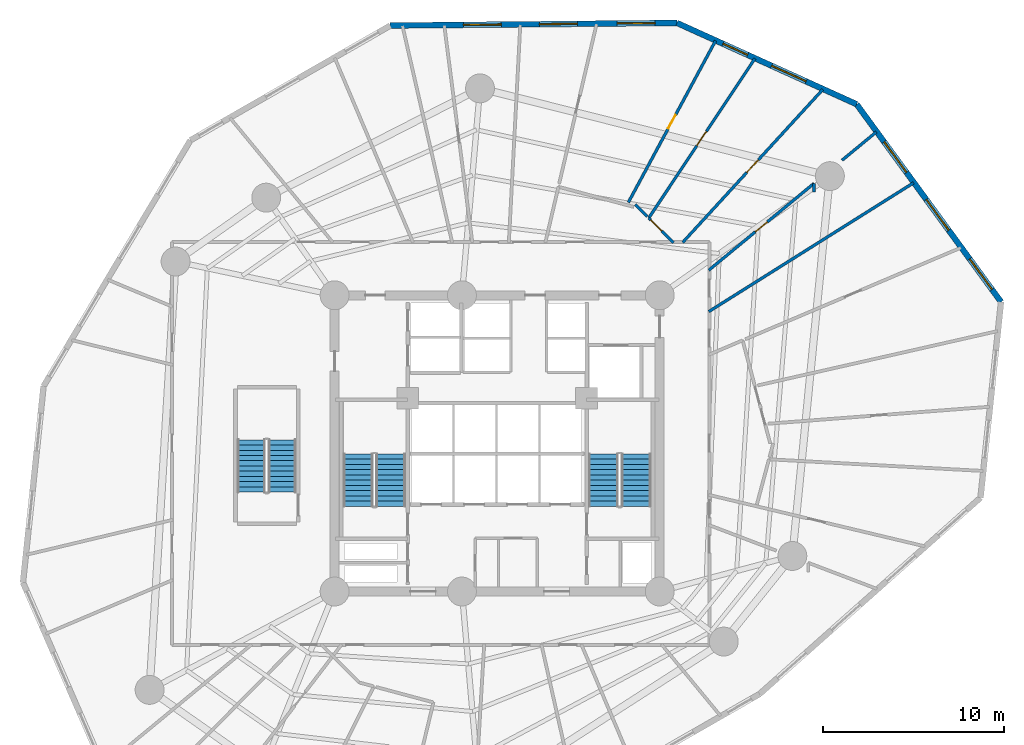
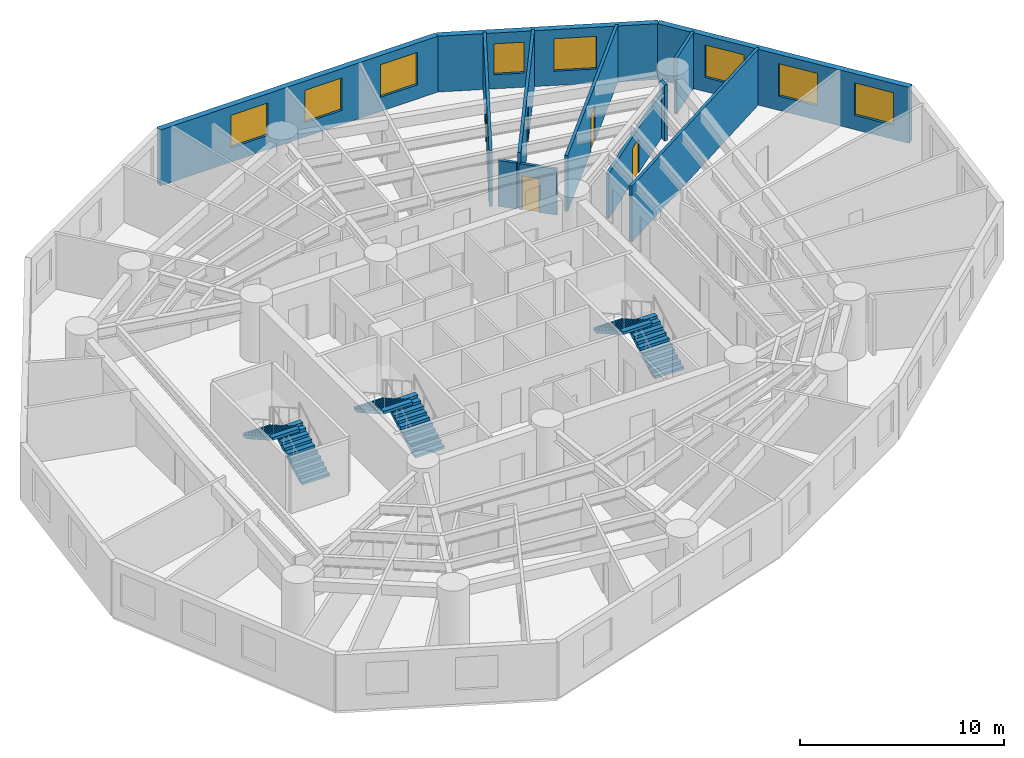
# One storey, part 7 of 8: 12 walls, 8 windows, 6 stair flights, 5 doors, 13 openings, 3 elements without a shape of their own.
"""IFC4 building model written with IfcOpenShell, lengths in metres."""

import ifcopenshell
import ifcopenshell.guid

model = None  # the IFC model being written
_history = None  # IfcOwnerHistory: only IFC2X3 demands one
_inside = {}  # id of a spatial element -> (the spatial element, [elements in it])
_under = {}  # id of a project, library or spatial element -> (it, [spatial elements below it])
_declared = {}  # id of a project -> (the project, [libraries it declares])
_typed = {}  # id of a type object -> (the type object, [elements of that type])
_made_of = {}  # id of a material, layer set ... -> (it, [elements and type objects made of it])


def new_model(schema):
    """Start an empty IFC model of exactly this schema.

    Asked for "IFC4X3", IfcOpenShell would pick the latest addendum, in which some entities
    have other attributes; the version numbers below select the first issue.
    IFC2X3 requires an IfcOwnerHistory on every rooted entity: one is made here for all.
    """
    global model, _history
    if schema == "IFC4X3":
        model = ifcopenshell.file(schema_version=(4, 3, 0, 0))
    else:
        model = ifcopenshell.file(schema=schema)
    _inside.clear()
    _under.clear()
    _declared.clear()
    _typed.clear()
    _made_of.clear()
    _history = None
    if model.schema == "IFC2X3":
        org = make("IfcOrganization", Name="unknown")
        user = make(
            "IfcPersonAndOrganization",
            ThePerson=make("IfcPerson", FamilyName="unknown"),
            TheOrganization=org,
        )
        app = make(
            "IfcApplication",
            ApplicationDeveloper=org,
            Version="unknown",
            ApplicationFullName="unknown",
            ApplicationIdentifier="unknown",
        )
        _history = make(
            "IfcOwnerHistory",
            OwningUser=user,
            OwningApplication=app,
            ChangeAction="ADDED",
            CreationDate=0,
        )
    return model


def make(cls, **values):
    """One entity of the class cls with the attributes given. An attribute that is None is left unset."""
    return model.create_entity(
        cls, **{name: value for name, value in values.items() if value is not None}
    )


def rooted(cls, **values):
    """An entity with a GlobalId (a new one), such as an element, a storey or a relation."""
    return make(cls, GlobalId=ifcopenshell.guid.new(), OwnerHistory=_history, **values)


def si_unit(unit_type, name, prefix=None):
    """IfcSIUnit, for example si_unit("LENGTHUNIT", "METRE", prefix="MILLI")."""
    return make("IfcSIUnit", UnitType=unit_type, Prefix=prefix, Name=name)


def assignment(units):
    """IfcUnitAssignment: the units of a project."""
    return None if units is None else make("IfcUnitAssignment", Units=units)


def point(xyz):
    """IfcCartesianPoint."""
    return None if xyz is None else make("IfcCartesianPoint", Coordinates=xyz)


def direction(xyz):
    """IfcDirection."""
    return None if xyz is None else make("IfcDirection", DirectionRatios=xyz)


def frame(location, z_axis=None, x_axis=None):
    """IfcAxis2Placement3D, a coordinate frame: its origin and axes. An axis left out is left unset."""
    return make(
        "IfcAxis2Placement3D",
        Location=point(location),
        Axis=direction(z_axis),
        RefDirection=direction(x_axis),
    )


def frame_2d(location, x_axis=None):
    """IfcAxis2Placement2D, a coordinate frame in the plane: its origin and x axis."""
    return make(
        "IfcAxis2Placement2D", Location=point(location), RefDirection=direction(x_axis)
    )


def origin():
    """The frame at (0, 0, 0) with its axes left unset."""
    return frame((0.0, 0.0, 0.0))


def origin_with_axes():
    """The frame at (0, 0, 0) with the z axis (0, 0, 1) and the x axis (1, 0, 0) written out."""
    return frame((0.0, 0.0, 0.0), z_axis=(0.0, 0.0, 1.0), x_axis=(1.0, 0.0, 0.0))


def place(relative_to, where):
    """IfcLocalPlacement: puts the frame where relative to a parent placement (None: the world)."""
    return make(
        "IfcLocalPlacement", PlacementRelTo=relative_to, RelativePlacement=where
    )


def context(
    kind, dimensions, precision=None, world=None, true_north=None, identifier=None
):
    """IfcGeometricRepresentationContext, for example the 3D "Model" context."""
    return make(
        "IfcGeometricRepresentationContext",
        ContextIdentifier=identifier,
        ContextType=kind,
        CoordinateSpaceDimension=dimensions,
        Precision=precision,
        WorldCoordinateSystem=world,
        TrueNorth=true_north,
    )


def subcontext(parent, identifier, kind, view, scale=None):
    """IfcGeometricRepresentationSubContext, for example "Body" below "Model"."""
    return make(
        "IfcGeometricRepresentationSubContext",
        ContextIdentifier=identifier,
        ContextType=kind,
        ParentContext=parent,
        TargetScale=scale,
        TargetView=view,
    )


def project(units=None, contexts=None):
    """IfcProject with its units and contexts."""
    return rooted(
        "IfcProject",
        Name="project",
        RepresentationContexts=contexts,
        UnitsInContext=assignment(units),
    )


def spatial(cls, under=None, at=None, **own):
    """A site, building, storey or space (cls), placed at a placement, below another one or the project."""
    s = rooted(cls, ObjectPlacement=at, **own)
    if under is not None:
        _under.setdefault(under.id(), (under, []))[1].append(s)
    return s


def polyline(points):
    """IfcPolyline through the points."""
    return make("IfcPolyline", Points=[point(p) for p in points])


def profile(cls, at=None, kind="AREA", **sizes):
    """A parametric profile (cls). Its sizes go by their IFC names, for example OverallWidth=200.0."""
    return make(cls, ProfileType=kind, Position=at, **sizes)


def rectangle(**sizes):
    """IfcRectangleProfileDef."""
    return profile("IfcRectangleProfileDef", **sizes)


def outline(outer, holes=None, kind="AREA"):
    """IfcArbitraryClosedProfileDef: a profile drawn as a closed curve; with holes, ...WithVoids."""
    if holes is None:
        return make("IfcArbitraryClosedProfileDef", ProfileType=kind, OuterCurve=outer)
    return make(
        "IfcArbitraryProfileDefWithVoids",
        ProfileType=kind,
        OuterCurve=outer,
        InnerCurves=holes,
    )


def extrude(swept, where, along, depth):
    """IfcExtrudedAreaSolid: the profile swept, set in the frame where, extruded along a direction by depth."""
    return make(
        "IfcExtrudedAreaSolid",
        SweptArea=swept,
        Position=where,
        ExtrudedDirection=direction(along),
        Depth=depth,
    )


def shape(context_of_items, identifier, shape_type, items):
    """IfcShapeRepresentation: the items that make up one representation, for example the "Body"."""
    return make(
        "IfcShapeRepresentation",
        ContextOfItems=context_of_items,
        RepresentationIdentifier=identifier,
        RepresentationType=shape_type,
        Items=items,
    )


def source(mapping_origin, context_of_items, identifier, shape_type, items):
    """IfcRepresentationMap: a shape defined once, which mapped items show again and again."""
    return make(
        "IfcRepresentationMap",
        MappingOrigin=mapping_origin,
        MappedRepresentation=shape(context_of_items, identifier, shape_type, items),
    )


def transform(
    local_origin,
    x_axis=None,
    y_axis=None,
    z_axis=None,
    scale=None,
    scale2=None,
    scale3=None,
    uniform=True,
):
    """IfcCartesianTransformationOperator3D, or its non-uniform kind. x_axis, y_axis, z_axis: its Axis1, 2, 3."""
    if uniform:
        return make(
            "IfcCartesianTransformationOperator3D",
            Axis1=direction(x_axis),
            Axis2=direction(y_axis),
            LocalOrigin=point(local_origin),
            Scale=scale,
            Axis3=direction(z_axis),
        )
    return make(
        "IfcCartesianTransformationOperator3DnonUniform",
        Axis1=direction(x_axis),
        Axis2=direction(y_axis),
        LocalOrigin=point(local_origin),
        Scale=scale,
        Axis3=direction(z_axis),
        Scale2=scale2,
        Scale3=scale3,
    )


def mapped(mapping_source, mapping_target):
    """IfcMappedItem: shows the shape of a source again, moved by a transform."""
    return make(
        "IfcMappedItem", MappingSource=mapping_source, MappingTarget=mapping_target
    )


def material(Name=None, Category=None):
    """IfcMaterial."""
    return make("IfcMaterial", Name=Name, Category=Category)


def layer(
    of_material, thickness, ventilated=None, Name=None, Category=None, Priority=None
):
    """IfcMaterialLayer: one layer of a wall or slab, of a material (None: an air gap)."""
    return make(
        "IfcMaterialLayer",
        Material=of_material,
        LayerThickness=thickness,
        IsVentilated=ventilated,
        Name=Name,
        Category=Category,
        Priority=Priority,
    )


def layer_set(layers, Name=None):
    """IfcMaterialLayerSet."""
    return make("IfcMaterialLayerSet", MaterialLayers=layers, LayerSetName=Name)


def made_of(thing, what):
    """Note that an element or type object is made of a material, layer set ...; save() writes the relation."""
    if what is not None:
        _made_of.setdefault(what.id(), (what, []))[1].append(thing)
    return thing


def type_object(cls, material=None, **own):
    """A type object (cls), such as IfcWallType, which elements share."""
    return made_of(rooted(cls, **own), material)


def element(
    cls,
    number,
    at=None,
    inside=None,
    cuts=None,
    type_object=None,
    material=None,
    context=None,
    identifier="Body",
    shape_type=None,
    held_by="IfcProductDefinitionShape",
    body=None,
    shapes=None,
    **own,
):
    """One element of the class cls, such as IfcWall. Its Tag is "e" and its number.

    at: its placement. inside: the storey or other place that contains it. cuts: it is an
    opening in that element (IfcRelVoidsElement). A single representation is given by context,
    identifier, shape_type and body (its items); several are given by shapes. held_by: the class
    of the entity that holds the representations. save() writes the other relations.
    """
    e = rooted(cls, Tag="e%d" % number, ObjectPlacement=at, **own)
    if body is not None:
        shapes = [shape(context, identifier, shape_type, body)]
    if shapes is not None:
        e.Representation = make(held_by, Representations=shapes)
    if inside is not None:
        _inside.setdefault(inside.id(), (inside, []))[1].append(e)
    if cuts is not None:
        rooted(
            "IfcRelVoidsElement", RelatingBuildingElement=cuts, RelatedOpeningElement=e
        )
    if type_object is not None:
        _typed.setdefault(type_object.id(), (type_object, []))[1].append(e)
    return made_of(e, material)


def fill(opening, filler):
    """IfcRelFillsElement: the door or window that sits in an opening."""
    return rooted(
        "IfcRelFillsElement",
        RelatingOpeningElement=opening,
        RelatedBuildingElement=filler,
    )


def aggregate(whole, parts):
    """IfcRelAggregates: a whole, such as a stair, and the parts it consists of."""
    return rooted("IfcRelAggregates", RelatingObject=whole, RelatedObjects=parts)


def save(model, path):
    """Write the relations noted so far, then the file.

    IfcRelAggregates (storeys below a building ...), IfcRelContainedInSpatialStructure (elements
    in a storey), IfcRelDefinesByType, IfcRelAssociatesMaterial and IfcRelDeclares: one each for
    every whole, place, type object, material and project.
    """
    for whole, parts in _under.values():
        aggregate(whole, parts)
    for where, things in _inside.values():
        rooted(
            "IfcRelContainedInSpatialStructure",
            RelatedElements=things,
            RelatingStructure=where,
        )
    for kind, things in _typed.values():
        rooted("IfcRelDefinesByType", RelatedObjects=things, RelatingType=kind)
    for what, things in _made_of.values():
        rooted("IfcRelAssociatesMaterial", RelatedObjects=things, RelatingMaterial=what)
    for by, libraries in _declared.values():
        rooted("IfcRelDeclares", RelatingContext=by, RelatedDefinitions=libraries)
    model.write(path)


model = new_model("IFC4")

# Units and contexts
model_context = context("Model", 3, precision=1e-05, world=origin(), true_north=direction((0.0, 1.0)))
body_context = subcontext(model_context, "Body", "Model", "MODEL_VIEW")
ifc_project = project(units=[si_unit("LENGTHUNIT", "METRE"), si_unit("AREAUNIT", "SQUARE_METRE"), si_unit("VOLUMEUNIT", "CUBIC_METRE"), si_unit("PLANEANGLEUNIT", "RADIAN"), si_unit("MASSUNIT", "GRAM", prefix="KILO")], contexts=[model_context])

# Site, building, storey
site_placement = place(None, origin())
site = spatial("IfcSite", under=ifc_project, at=site_placement, CompositionType="ELEMENT")
building_placement = place(site_placement, origin())
building = spatial("IfcBuilding", under=site, at=building_placement, Name="Karkom Vertical University and Central Library", CompositionType="ELEMENT")
storey_placement = place(building_placement, frame((0.0, 0.0, 30.10009765625)))
storey = spatial("IfcBuildingStorey", under=building, at=storey_placement, Name="L07", CompositionType="ELEMENT", Elevation=30.10009765625)

# Wall, openings, windows
ifc_material_1 = material(Name="Brick-faced precast concrete C45/55", Category="masonry")
ifc_layer_1 = layer(ifc_material_1, 0.320068359375)
ifc_layer_set_1 = layer_set([ifc_layer_1], Name="Brick-faced precast concrete C45/55")
wall_type_1 = type_object("IfcWallType", Name="ENV-WL-BRK-320", PredefinedType="SOLIDWALL", material=ifc_layer_set_1)
wall_1_placement = place(storey_placement, frame((56.39990234375, 34.3330078125, 0.0), z_axis=(0.0, 0.0, 1.0), x_axis=(-0.589989497515, 0.807410919434, 0.0)))
wall_1 = element("IfcWall", 1, at=wall_1_placement, inside=storey, type_object=wall_type_1, Name="Level 07 Brick-Faced Precast Facade Wall 10", PredefinedType="SOLIDWALL", context=body_context, shape_type="SweptSolid", body=[
    extrude(rectangle(XDim=13.556640625, YDim=0.320068359375, at=frame_2d((6.7783203125, 0.0))), origin(), (0.0, 0.0, 1.0), 3.349853515625),
])
opening_1_placement = place(wall_1_placement, frame((0.852294921875, 0.0, 0.85009765625)))
opening_1 = element("IfcOpeningElement", 2, at=opening_1_placement, cuts=wall_1, Name="Opening WN-03", PredefinedType="OPENING", context=body_context, shape_type="SweptSolid", body=[
    extrude(rectangle(XDim=2.10009765625, YDim=1.949951171875, at=frame_2d((1.050048828125, 0.97509765625))), frame((0.0, 0.169921875, 0.0), z_axis=(0.0, -1.0, 0.0), x_axis=(1.0, 0.0, 0.0)), (0.0, 0.0, 1.0), 0.340087890625),
])
opening_2_placement = place(wall_1_placement, frame((4.9150390625, 0.0, 0.85009765625)))
opening_2 = element("IfcOpeningElement", 3, at=opening_2_placement, cuts=wall_1, Name="Opening WN-03", PredefinedType="OPENING", context=body_context, shape_type="SweptSolid", body=[
    extrude(rectangle(XDim=2.10009765625, YDim=1.949951171875, at=frame_2d((1.050048828125, 0.97509765625))), frame((0.0, 0.169921875, 0.0), z_axis=(0.0, -1.0, 0.0), x_axis=(1.0, 0.0, 0.0)), (0.0, 0.0, 1.0), 0.340087890625),
])
opening_3_placement = place(wall_1_placement, frame((8.8779296875, 0.0, 0.85009765625)))
opening_3 = element("IfcOpeningElement", 4, at=opening_3_placement, cuts=wall_1, Name="Opening WN-03", PredefinedType="OPENING", context=body_context, shape_type="SweptSolid", body=[
    extrude(rectangle(XDim=2.10009765625, YDim=1.949951171875, at=frame_2d((1.050048828125, 0.97509765625))), frame((0.0, 0.169921875, 0.0), z_axis=(0.0, -1.0, 0.0), x_axis=(1.0, 0.0, 0.0)), (0.0, 0.0, 1.0), 0.340087890625),
])
ifc_material_2 = material(Name="Aluminium thermal-break frame with solar-control IGU", Category="aluminium")
window_type_1 = type_object("IfcWindowType", Name="ENV-WIN-WN-03", PartitioningType="SINGLE_PANEL", PredefinedType="WINDOW", material=ifc_material_2)
shared_shape_1 = source(origin_with_axes(), body_context, "Body", "SweptSolid", [
    extrude(rectangle(XDim=2.10009765625, YDim=1.949951171875, at=frame_2d((1.050048828125, 0.97509765625))), frame((0.0, 0.030029296875, 0.0), z_axis=(0.0, -1.0, 0.0), x_axis=(1.0, 0.0, 0.0)), (0.0, 0.0, 1.0), 0.06005859375),
])
window_1_placement = place(opening_1_placement, origin())
window_1 = element("IfcWindow", 5, at=window_1_placement, inside=storey, type_object=window_type_1, Name="Level 07 Punched Window 10.1", OverallHeight=1.949951171875, OverallWidth=2.10009765625, PartitioningType="SINGLE_PANEL", PredefinedType="WINDOW", context=body_context, shape_type="MappedRepresentation", body=[
    mapped(shared_shape_1, transform((0.0, 0.0, 0.0), scale=1.0)),
])
fill(opening_1, window_1)
window_2_placement = place(opening_2_placement, origin())
window_2 = element("IfcWindow", 6, at=window_2_placement, inside=storey, type_object=window_type_1, Name="Level 07 Punched Window 10.2", OverallHeight=1.949951171875, OverallWidth=2.10009765625, PartitioningType="SINGLE_PANEL", PredefinedType="WINDOW", context=body_context, shape_type="MappedRepresentation", body=[
    mapped(shared_shape_1, transform((0.0, 0.0, 0.0), scale=1.0)),
])
fill(opening_2, window_2)
window_3_placement = place(opening_3_placement, origin())
window_3 = element("IfcWindow", 7, at=window_3_placement, inside=storey, type_object=window_type_1, Name="Level 07 Punched Window 10.3", OverallHeight=1.949951171875, OverallWidth=2.10009765625, PartitioningType="SINGLE_PANEL", PredefinedType="WINDOW", context=body_context, shape_type="MappedRepresentation", body=[
    mapped(shared_shape_1, transform((0.0, 0.0, 0.0), scale=1.0)),
])
fill(opening_3, window_3)

wall_2_placement = place(storey_placement, frame((48.401611328125, 45.27880859375, 0.0), z_axis=(0.0, 0.0, 1.0), x_axis=(-0.91109013156, 0.412207195684, 0.0)))
wall_2 = element("IfcWall", 8, at=wall_2_placement, inside=storey, type_object=wall_type_1, Name="Level 07 Brick-Faced Precast Facade Wall 11", PredefinedType="SOLIDWALL", context=body_context, shape_type="SweptSolid", body=[
    extrude(rectangle(XDim=10.92041015625, YDim=0.320068359375, at=frame_2d((5.460205078125, 0.0))), origin(), (0.0, 0.0, 1.0), 3.349853515625),
])
opening_4_placement = place(wall_2_placement, frame((3.06591796875, 0.0, 0.85009765625)))
opening_4 = element("IfcOpeningElement", 9, at=opening_4_placement, cuts=wall_2, Name="Opening WN-03", PredefinedType="OPENING", context=body_context, shape_type="SweptSolid", body=[
    extrude(rectangle(XDim=2.10009765625, YDim=1.949951171875, at=frame_2d((1.050048828125, 0.97509765625))), frame((0.0, 0.169921875, 0.0), z_axis=(0.0, -1.0, 0.0), x_axis=(1.0, 0.0, 0.0)), (0.0, 0.0, 1.0), 0.340087890625),
])
opening_5_placement = place(wall_2_placement, frame((6.623291015625, 0.0, 0.85009765625)))
opening_5 = element("IfcOpeningElement", 10, at=opening_5_placement, cuts=wall_2, Name="Opening WN-05", PredefinedType="OPENING", context=body_context, shape_type="SweptSolid", body=[
    extrude(rectangle(XDim=1.5, YDim=1.85009765625, at=frame_2d((0.75, 0.925048828125))), frame((0.0, 0.169921875, 0.0), z_axis=(0.0, -1.0, 0.0), x_axis=(1.0, 0.0, 0.0)), (0.0, 0.0, 1.0), 0.340087890625),
])
window_4_placement = place(opening_4_placement, origin())
window_4 = element("IfcWindow", 11, at=window_4_placement, inside=storey, type_object=window_type_1, Name="Level 07 Punched Window 11.1", OverallHeight=1.949951171875, OverallWidth=2.10009765625, PartitioningType="SINGLE_PANEL", PredefinedType="WINDOW", context=body_context, shape_type="MappedRepresentation", body=[
    mapped(shared_shape_1, transform((0.0, 0.0, 0.0), scale=1.0)),
])
fill(opening_4, window_4)
window_type_2 = type_object("IfcWindowType", Name="ENV-WIN-WN-05", PartitioningType="SINGLE_PANEL", PredefinedType="WINDOW", material=ifc_material_2)
shared_shape_2 = source(origin_with_axes(), body_context, "Body", "SweptSolid", [
    extrude(rectangle(XDim=1.5, YDim=1.85009765625, at=frame_2d((0.75, 0.925048828125))), frame((0.0, 0.030029296875, 0.0), z_axis=(0.0, -1.0, 0.0), x_axis=(1.0, 0.0, 0.0)), (0.0, 0.0, 1.0), 0.06005859375),
])
window_5_placement = place(opening_5_placement, origin())
window_5 = element("IfcWindow", 12, at=window_5_placement, inside=storey, type_object=window_type_2, Name="Level 07 Punched Window 11.2", OverallHeight=1.85009765625, OverallWidth=1.5, PartitioningType="SINGLE_PANEL", PredefinedType="WINDOW", context=body_context, shape_type="MappedRepresentation", body=[
    mapped(shared_shape_2, transform((0.0, 0.0, 0.0), scale=1.0)),
])
fill(opening_5, window_5)

wall_3_placement = place(storey_placement, frame((38.4521484375, 49.7802734375, 0.0), z_axis=(0.0, 0.0, 1.0), x_axis=(-0.999957694402, -0.009198337173, 0.0)))
wall_3 = element("IfcWall", 13, at=wall_3_placement, inside=storey, type_object=wall_type_1, Name="Level 07 Brick-Faced Precast Facade Wall 12", PredefinedType="SOLIDWALL", context=body_context, shape_type="SweptSolid", body=[
    extrude(rectangle(XDim=15.8720703125, YDim=0.320068359375, at=frame_2d((7.93603515625, 0.0))), origin(), (0.0, 0.0, 1.0), 3.349853515625),
])
opening_6_placement = place(wall_3_placement, frame((1.208984375, 0.0, 0.85009765625)))
opening_6 = element("IfcOpeningElement", 14, at=opening_6_placement, cuts=wall_3, Name="Opening WN-03", PredefinedType="OPENING", context=body_context, shape_type="SweptSolid", body=[
    extrude(rectangle(XDim=2.10009765625, YDim=1.949951171875, at=frame_2d((1.050048828125, 0.97509765625))), frame((0.0, 0.169921875, 0.0), z_axis=(0.0, -1.0, 0.0), x_axis=(1.0, 0.0, 0.0)), (0.0, 0.0, 1.0), 0.340087890625),
])
opening_7_placement = place(wall_3_placement, frame((5.5166015625, 0.0, 0.85009765625)))
opening_7 = element("IfcOpeningElement", 15, at=opening_7_placement, cuts=wall_3, Name="Opening WN-03", PredefinedType="OPENING", context=body_context, shape_type="SweptSolid", body=[
    extrude(rectangle(XDim=2.10009765625, YDim=1.949951171875, at=frame_2d((1.050048828125, 0.97509765625))), frame((0.0, 0.169921875, 0.0), z_axis=(0.0, -1.0, 0.0), x_axis=(1.0, 0.0, 0.0)), (0.0, 0.0, 1.0), 0.340087890625),
])
opening_8_placement = place(wall_3_placement, frame((9.7255859375, 0.0, 0.85009765625)))
opening_8 = element("IfcOpeningElement", 16, at=opening_8_placement, cuts=wall_3, Name="Opening WN-03", PredefinedType="OPENING", context=body_context, shape_type="SweptSolid", body=[
    extrude(rectangle(XDim=2.10009765625, YDim=1.949951171875, at=frame_2d((1.050048828125, 0.97509765625))), frame((0.0, 0.169921875, 0.0), z_axis=(0.0, -1.0, 0.0), x_axis=(1.0, 0.0, 0.0)), (0.0, 0.0, 1.0), 0.340087890625),
])
window_6_placement = place(opening_6_placement, origin())
window_6 = element("IfcWindow", 17, at=window_6_placement, inside=storey, type_object=window_type_1, Name="Level 07 Punched Window 12.1", OverallHeight=1.949951171875, OverallWidth=2.10009765625, PartitioningType="SINGLE_PANEL", PredefinedType="WINDOW", context=body_context, shape_type="MappedRepresentation", body=[
    mapped(shared_shape_1, transform((0.0, 0.0, 0.0), scale=1.0)),
])
fill(opening_6, window_6)
window_7_placement = place(opening_7_placement, origin())
window_7 = element("IfcWindow", 18, at=window_7_placement, inside=storey, type_object=window_type_1, Name="Level 07 Punched Window 12.2", OverallHeight=1.949951171875, OverallWidth=2.10009765625, PartitioningType="SINGLE_PANEL", PredefinedType="WINDOW", context=body_context, shape_type="MappedRepresentation", body=[
    mapped(shared_shape_1, transform((0.0, 0.0, 0.0), scale=1.0)),
])
fill(opening_7, window_7)
window_8_placement = place(opening_8_placement, origin())
window_8 = element("IfcWindow", 19, at=window_8_placement, inside=storey, type_object=window_type_1, Name="Level 07 Punched Window 12.3", OverallHeight=1.949951171875, OverallWidth=2.10009765625, PartitioningType="SINGLE_PANEL", PredefinedType="WINDOW", context=body_context, shape_type="MappedRepresentation", body=[
    mapped(shared_shape_1, transform((0.0, 0.0, 0.0), scale=1.0)),
])
fill(opening_8, window_8)

# Wall
ifc_material_3 = material(Name="Insulated metal-stud drywall 160mm", Category="gypsum")
ifc_layer_2 = layer(ifc_material_3, 0.159912109375)
ifc_layer_set_2 = layer_set([ifc_layer_2], Name="Insulated metal-stud drywall 160mm")
wall_type_2 = type_object("IfcWallType", Name="INT-WL-COR-160", PredefinedType="PARTITIONING", material=ifc_layer_set_2)
wall_4_placement = place(storey_placement, frame((40.2119140625, 33.794189453125, 0.0), z_axis=(0.0, 0.0, 1.0), x_axis=(0.846534008424, 0.532334643417, 0.0)))
element("IfcWall", 20, at=wall_4_placement, inside=storey, type_object=wall_type_2, Name="Level 07 Interior Partition Wall Level 07-PW-032", PredefinedType="PARTITIONING", context=body_context, shape_type="SweptSolid", body=[
    extrude(rectangle(XDim=13.39599609375, YDim=0.159912109375, at=frame_2d((6.697998046875, 0.0))), origin(), (0.0, 0.0, 1.0), 3.349853515625),
])

# Wall, opening, door
wall_5_placement = place(storey_placement, frame((38.773681640625, 37.6279296875, 0.0), z_axis=(0.0, 0.0, 1.0), x_axis=(0.675414532281, 0.737438275101, 0.0)))
wall_5 = element("IfcWall", 21, at=wall_5_placement, inside=storey, type_object=wall_type_2, Name="Level 07 Interior Partition Wall Level 07-PW-036", PredefinedType="PARTITIONING", context=body_context, shape_type="SweptSolid", body=[
    extrude(rectangle(XDim=11.48193359375, YDim=0.159912109375, at=frame_2d((5.740966796875, 0.0))), origin(), (0.0, 0.0, 1.0), 3.349853515625),
])
opening_9_placement = place(wall_5_placement, frame((5.24853515625, 0.0, 0.0)))
opening_9 = element("IfcOpeningElement", 22, at=opening_9_placement, cuts=wall_5, Name="Opening D-RM1", PredefinedType="OPENING", context=body_context, shape_type="SweptSolid", body=[
    extrude(rectangle(XDim=0.949951171875, YDim=2.14990234375, at=frame_2d((0.47509765625, 1.074951171875))), frame((0.0, 0.08984375, 0.0), z_axis=(0.0, -1.0, 0.0), x_axis=(1.0, 0.0, 0.0)), (0.0, 0.0, 1.0), 0.179931640625),
])
ifc_material_4 = material(Name="Solid-core oak veneer door", Category="wood")
door_type_1 = type_object("IfcDoorType", Name="INT-DR-RM1", OperationType="NOTDEFINED", PredefinedType="DOOR", material=ifc_material_4)
shared_shape_3 = source(origin_with_axes(), body_context, "Body", "SweptSolid", [
    extrude(rectangle(XDim=0.949951171875, YDim=2.14990234375, at=frame_2d((0.47509765625, 1.074951171875))), frame((0.0, 0.02490234375, 0.0), z_axis=(0.0, -1.0, 0.0), x_axis=(1.0, 0.0, 0.0)), (0.0, 0.0, 1.0), 0.050048828125),
])
door_1_placement = place(opening_9_placement, origin())
door_1 = element("IfcDoor", 23, at=door_1_placement, inside=storey, type_object=door_type_1, Name="Level 07 Room Entry Door 210", OperationType="SINGLE_SWING_LEFT", OverallHeight=2.14990234375, OverallWidth=0.949951171875, PredefinedType="DOOR", context=body_context, shape_type="MappedRepresentation", body=[
    mapped(shared_shape_3, transform((0.0, 0.0, 0.0), scale=1.0)),
])
fill(opening_9, door_1)

wall_6_placement = place(storey_placement, frame((36.892333984375, 38.984375, 0.0), z_axis=(0.0, 0.0, 1.0), x_axis=(0.554567228734, 0.832138923987, 0.0)))
wall_6 = element("IfcWall", 24, at=wall_6_placement, inside=storey, type_object=wall_type_2, Name="Level 07 Interior Partition Wall Level 07-PW-037", PredefinedType="PARTITIONING", context=body_context, shape_type="SweptSolid", body=[
    extrude(rectangle(XDim=10.593505859375, YDim=0.159912109375, at=frame_2d((5.296875, 0.0))), origin(), (0.0, 0.0, 1.0), 3.349853515625),
])
opening_10_placement = place(wall_6_placement, frame((4.80419921875, 0.0, 0.0)))
opening_10 = element("IfcOpeningElement", 25, at=opening_10_placement, cuts=wall_6, Name="Opening FD-RM2", PredefinedType="OPENING", context=body_context, shape_type="SweptSolid", body=[
    extrude(rectangle(XDim=0.9599609375, YDim=2.14990234375, at=frame_2d((0.47998046875, 1.074951171875))), frame((0.0, 0.08984375, 0.0), z_axis=(0.0, -1.0, 0.0), x_axis=(1.0, 0.0, 0.0)), (0.0, 0.0, 1.0), 0.179931640625),
])
ifc_material_5 = material(Name="Fire-rated oak veneer door", Category="wood")
door_type_2 = type_object("IfcDoorType", Name="INT-DR-FRM2", OperationType="NOTDEFINED", PredefinedType="DOOR", material=ifc_material_5)
shared_shape_4 = source(origin_with_axes(), body_context, "Body", "SweptSolid", [
    extrude(rectangle(XDim=0.9599609375, YDim=2.14990234375, at=frame_2d((0.47998046875, 1.074951171875))), frame((0.0, 0.02490234375, 0.0), z_axis=(0.0, -1.0, 0.0), x_axis=(1.0, 0.0, 0.0)), (0.0, 0.0, 1.0), 0.050048828125),
])
door_2_placement = place(opening_10_placement, origin())
door_2 = element("IfcDoor", 26, at=door_2_placement, inside=storey, type_object=door_type_2, Name="Level 07 Room Entry Door 220", OperationType="SINGLE_SWING_RIGHT", OverallHeight=2.14990234375, OverallWidth=0.9599609375, PredefinedType="DOOR", context=body_context, shape_type="MappedRepresentation", body=[
    mapped(shared_shape_4, transform((0.0, 0.0, 0.0), scale=1.0)),
])
fill(opening_10, door_2)

wall_7_placement = place(storey_placement, frame((35.760986328125, 39.837158203125, 0.0), z_axis=(0.0, 0.0, 1.0), x_axis=(0.474669594845, 0.880164061826, 0.0)))
wall_7 = element("IfcWall", 27, at=wall_7_placement, inside=storey, type_object=wall_type_2, Name="Level 07 Interior Partition Wall Level 07-PW-040", PredefinedType="PARTITIONING", context=body_context, shape_type="SweptSolid", body=[
    extrude(rectangle(XDim=10.16796875, YDim=0.159912109375, at=frame_2d((5.083984375, 0.0))), origin(), (0.0, 0.0, 1.0), 3.349853515625),
])
opening_11_placement = place(wall_7_placement, frame((4.65380859375, 0.0, 0.0)))
opening_11 = element("IfcOpeningElement", 28, at=opening_11_placement, cuts=wall_7, Name="Opening FD-BTH2", PredefinedType="OPENING", context=body_context, shape_type="SweptSolid", body=[
    extrude(rectangle(XDim=0.860107421875, YDim=2.0400390625, at=frame_2d((0.43017578125, 1.02001953125))), frame((0.0, 0.08984375, 0.0), z_axis=(0.0, -1.0, 0.0), x_axis=(1.0, 0.0, 0.0)), (0.0, 0.0, 1.0), 0.179931640625),
])
ifc_material_6 = material(Name="Fire-rated moisture-resistant oak door", Category="wood")
door_type_3 = type_object("IfcDoorType", Name="INT-DR-FBTH2", OperationType="NOTDEFINED", PredefinedType="DOOR", material=ifc_material_6)
shared_shape_5 = source(origin_with_axes(), body_context, "Body", "SweptSolid", [
    extrude(rectangle(XDim=0.860107421875, YDim=2.0400390625, at=frame_2d((0.43017578125, 1.02001953125))), frame((0.0, 0.02490234375, 0.0), z_axis=(0.0, -1.0, 0.0), x_axis=(1.0, 0.0, 0.0)), (0.0, 0.0, 1.0), 0.050048828125),
])
door_3_placement = place(opening_11_placement, origin())
door_3 = element("IfcDoor", 29, at=door_3_placement, inside=storey, type_object=door_type_3, Name="Level 07 University Seminar Classroom Entry Door", OperationType="SINGLE_SWING_RIGHT", OverallHeight=2.0400390625, OverallWidth=0.860107421875, PredefinedType="DOOR", context=body_context, shape_type="MappedRepresentation", body=[
    mapped(shared_shape_5, transform((0.0, 0.0, 0.0), scale=1.0)),
])
fill(opening_11, door_3)

wall_8_placement = place(storey_placement, frame((40.21533203125, 36.088134765625, 0.0), z_axis=(0.0, 0.0, 1.0), x_axis=(0.771339155553, 0.636424313734, 0.0)))
wall_8 = element("IfcWall", 30, at=wall_8_placement, inside=storey, type_object=wall_type_2, Name="Level 07 Interior Partition Wall Level 07-PW-033", PredefinedType="PARTITIONING", context=body_context, shape_type="SweptSolid", body=[
    extrude(rectangle(XDim=7.551513671875, YDim=0.159912109375, at=frame_2d((3.77587890625, 0.0))), origin(), (0.0, 0.0, 1.0), 2.699951171875),
])
opening_12_placement = place(wall_8_placement, frame((3.345703125, 0.0, 0.0)))
opening_12 = element("IfcOpeningElement", 31, at=opening_12_placement, cuts=wall_8, Name="Opening FD-BTH2", PredefinedType="OPENING", context=body_context, shape_type="SweptSolid", body=[
    extrude(rectangle(XDim=0.860107421875, YDim=2.0400390625, at=frame_2d((0.43017578125, 1.02001953125))), frame((0.0, 0.08984375, 0.0), z_axis=(0.0, -1.0, 0.0), x_axis=(1.0, 0.0, 0.0)), (0.0, 0.0, 1.0), 0.179931640625),
])
door_4_placement = place(opening_12_placement, origin())
door_4 = element("IfcDoor", 32, at=door_4_placement, inside=storey, type_object=door_type_3, Name="Level 07 University Seminar Classroom Entry Door", OperationType="SINGLE_SWING_RIGHT", OverallHeight=2.0400390625, OverallWidth=0.860107421875, PredefinedType="DOOR", context=body_context, shape_type="MappedRepresentation", body=[
    mapped(shared_shape_5, transform((0.0, 0.0, 0.0), scale=1.0)),
])
fill(opening_12, door_4)

# Wall
wall_9_placement = place(storey_placement, frame((47.593994140625, 42.176025390625, 0.0), z_axis=(0.0, 0.0, 1.0), x_axis=(0.771317293853, 0.636450808942, 0.0)))
element("IfcWall", 33, at=wall_9_placement, inside=storey, type_object=wall_type_2, Name="Level 07 Interior Partition Wall Level 07-PW-035", PredefinedType="PARTITIONING", context=body_context, shape_type="SweptSolid", body=[
    extrude(rectangle(XDim=2.4619140625, YDim=0.159912109375, at=frame_2d((1.23095703125, 0.0))), origin(), (0.0, 0.0, 1.0), 3.349853515625),
])

# Wall, opening, door
wall_10_placement = place(storey_placement, frame((38.258544921875, 37.6181640625, 0.0), z_axis=(0.0, 0.0, 1.0), x_axis=(-0.707106781187, 0.707106781187, 0.0)))
wall_10 = element("IfcWall", 34, at=wall_10_placement, inside=storey, type_object=wall_type_2, Name="Level 07 Interior Partition Wall Level 07-PW-038", PredefinedType="PARTITIONING", context=body_context, shape_type="SweptSolid", body=[
    extrude(rectangle(XDim=1.93212890625, YDim=0.159912109375, at=frame_2d((0.966064453125, 0.0))), origin(), (0.0, 0.0, 1.0), 2.75),
])
opening_13_placement = place(wall_10_placement, frame((0.912109375, 0.0, 0.0)))
opening_13 = element("IfcOpeningElement", 35, at=opening_13_placement, cuts=wall_10, Name="Opening FD-BTH2", PredefinedType="OPENING", context=body_context, shape_type="SweptSolid", body=[
    extrude(rectangle(XDim=0.860107421875, YDim=2.0400390625, at=frame_2d((0.43017578125, 1.02001953125))), frame((0.0, 0.08984375, 0.0), z_axis=(0.0, -1.0, 0.0), x_axis=(1.0, 0.0, 0.0)), (0.0, 0.0, 1.0), 0.179931640625),
])
door_5_placement = place(opening_13_placement, origin())
door_5 = element("IfcDoor", 36, at=door_5_placement, inside=storey, type_object=door_type_3, Name="Level 07 Academic Collaborative Study Lounge Entry Door", OperationType="SINGLE_SWING_LEFT", OverallHeight=2.0400390625, OverallWidth=0.860107421875, PredefinedType="DOOR", context=body_context, shape_type="MappedRepresentation", body=[
    mapped(shared_shape_5, transform((0.0, 0.0, 0.0), scale=1.0)),
])
fill(opening_13, door_5)

# Walls
wall_11_placement = place(storey_placement, frame((36.805908203125, 39.07080078125, 0.0), z_axis=(0.0, 0.0, 1.0), x_axis=(-0.707106781187, 0.707106781187, 0.0)))
element("IfcWall", 37, at=wall_11_placement, inside=storey, type_object=wall_type_2, Name="Level 07 Interior Partition Wall Level 07-PW-039", PredefinedType="PARTITIONING", context=body_context, shape_type="SweptSolid", body=[
    extrude(rectangle(XDim=0.939697265625, YDim=0.159912109375, at=frame_2d((0.4697265625, 0.0))), origin(), (0.0, 0.0, 1.0), 2.75),
])
wall_12_placement = place(storey_placement, frame((46.0400390625, 40.89404296875, 0.0), z_axis=(0.0, 0.0, 1.0), x_axis=(0.0, -1.0, 0.0)))
element("IfcWall", 38, at=wall_12_placement, inside=storey, type_object=wall_type_2, Name="Level 07 Interior Partition Wall Level 07-PW-034", PredefinedType="PARTITIONING", context=body_context, shape_type="SweptSolid", body=[
    extrude(rectangle(XDim=0.47802734375, YDim=0.159912109375, at=frame_2d((0.239013671875, 0.0))), origin(), (0.0, 0.0, 1.0), 3.349853515625),
])

# Stair, stair flights
ifc_material_7 = material(Name="Concrete C45/55", Category="concrete")
stair_type_1 = type_object("IfcStairType", Name="INT-STR-ST-MAIN", PredefinedType="HALF_TURN_STAIR", material=ifc_material_7)
stair_1_placement = place(storey_placement, origin())
stair_1 = element("IfcStair", 39, at=stair_1_placement, inside=storey, type_object=stair_type_1, Name="Level 07 Tower Protected Exit Stair ST-1", PredefinedType="HALF_TURN_STAIR")
stair_flight_type_1 = type_object("IfcStairFlightType", Name="INT-SFL-ST-MAIN", PredefinedType="STRAIGHT", material=ifc_material_7)
stair_flight_1_placement = place(storey_placement, frame((22.614990234375, 23.02001953125, 0.0), z_axis=(0.0, 0.0, 1.0), x_axis=(0.0, 1.0, 0.0)))
stair_flight_1 = element("IfcStairFlight", 40, at=stair_flight_1_placement, type_object=stair_flight_type_1, Name="ST-1 flight 1", NumberOfRisers=11, NumberOfTreads=10, PredefinedType="STRAIGHT", RiserHeight=0.163636364, TreadLength=0.29, context=body_context, shape_type="SweptSolid", body=[
    extrude(outline(polyline([(0.0, 0.0), (0.0, 0.16357421875), (0.2900390625, 0.16357421875), (0.2900390625, 0.327392578125), (0.580078125, 0.327392578125), (0.580078125, 0.490966796875), (0.8701171875, 0.490966796875), (0.8701171875, 0.654541015625), (1.159912109375, 0.654541015625), (1.159912109375, 0.818115234375), (1.449951171875, 0.818115234375), (1.449951171875, 0.98193359375), (1.739990234375, 0.98193359375), (1.739990234375, 1.1455078125), (2.030029296875, 1.1455078125), (2.030029296875, 1.30908203125), (2.320068359375, 1.30908203125), (2.320068359375, 1.47265625), (2.610107421875, 1.47265625), (2.610107421875, 1.636474609375), (2.89990234375, 1.636474609375), (2.89990234375, 1.800048828125), (2.89990234375, 1.46435546875), (0.304931640625, 0.0), (0.0, 0.0)])), frame((0.0, 0.824951171875, 0.0), z_axis=(0.0, -1.0, 0.0), x_axis=(1.0, 0.0, 0.0)), (0.0, 0.0, 1.0), 1.64990234375),
])
stair_flight_2_placement = place(storey_placement, frame((20.804931640625, 25.919921875, 1.7998046875), z_axis=(0.0, 0.0, 1.0), x_axis=(0.0, -1.0, 0.0)))
stair_flight_2 = element("IfcStairFlight", 41, at=stair_flight_2_placement, type_object=stair_flight_type_1, Name="ST-1 flight 2", NumberOfRisers=11, NumberOfTreads=10, PredefinedType="STRAIGHT", RiserHeight=0.163636364, TreadLength=0.29, context=body_context, shape_type="SweptSolid", body=[
    extrude(outline(polyline([(0.0, 0.0), (0.0, 0.16357421875), (0.2900390625, 0.16357421875), (0.2900390625, 0.327392578125), (0.580078125, 0.327392578125), (0.580078125, 0.490966796875), (0.8701171875, 0.490966796875), (0.8701171875, 0.654541015625), (1.159912109375, 0.654541015625), (1.159912109375, 0.818115234375), (1.449951171875, 0.818115234375), (1.449951171875, 0.98193359375), (1.739990234375, 0.98193359375), (1.739990234375, 1.1455078125), (2.030029296875, 1.1455078125), (2.030029296875, 1.30908203125), (2.320068359375, 1.30908203125), (2.320068359375, 1.47265625), (2.610107421875, 1.47265625), (2.610107421875, 1.636474609375), (2.89990234375, 1.636474609375), (2.89990234375, 1.800048828125), (2.89990234375, 1.46435546875), (0.304931640625, 0.0), (0.0, 0.0)])), frame((0.0, 0.824951171875, 0.0), z_axis=(0.0, -1.0, 0.0), x_axis=(1.0, 0.0, 0.0)), (0.0, 0.0, 1.0), 1.64990234375),
])
aggregate(stair_1, [stair_flight_1, stair_flight_2])

stair_2_placement = place(storey_placement, origin())
stair_2 = element("IfcStair", 42, at=stair_2_placement, inside=storey, type_object=stair_type_1, Name="Level 07 Tower Protected Exit Stair ST-2", PredefinedType="HALF_TURN_STAIR")
stair_flight_3_placement = place(storey_placement, frame((36.195068359375, 23.02001953125, 0.0), z_axis=(0.0, 0.0, 1.0), x_axis=(0.0, 1.0, 0.0)))
stair_flight_3 = element("IfcStairFlight", 43, at=stair_flight_3_placement, type_object=stair_flight_type_1, Name="ST-2 flight 1", NumberOfRisers=11, NumberOfTreads=10, PredefinedType="STRAIGHT", RiserHeight=0.163636364, TreadLength=0.29, context=body_context, shape_type="SweptSolid", body=[
    extrude(outline(polyline([(0.0, 0.0), (0.0, 0.16357421875), (0.2900390625, 0.16357421875), (0.2900390625, 0.327392578125), (0.580078125, 0.327392578125), (0.580078125, 0.490966796875), (0.8701171875, 0.490966796875), (0.8701171875, 0.654541015625), (1.159912109375, 0.654541015625), (1.159912109375, 0.818115234375), (1.449951171875, 0.818115234375), (1.449951171875, 0.98193359375), (1.739990234375, 0.98193359375), (1.739990234375, 1.1455078125), (2.030029296875, 1.1455078125), (2.030029296875, 1.30908203125), (2.320068359375, 1.30908203125), (2.320068359375, 1.47265625), (2.610107421875, 1.47265625), (2.610107421875, 1.636474609375), (2.89990234375, 1.636474609375), (2.89990234375, 1.800048828125), (2.89990234375, 1.46435546875), (0.304931640625, 0.0), (0.0, 0.0)])), frame((0.0, 0.824951171875, 0.0), z_axis=(0.0, -1.0, 0.0), x_axis=(1.0, 0.0, 0.0)), (0.0, 0.0, 1.0), 1.64990234375),
])
stair_flight_4_placement = place(storey_placement, frame((34.385009765625, 25.919921875, 1.7998046875), z_axis=(0.0, 0.0, 1.0), x_axis=(0.0, -1.0, 0.0)))
stair_flight_4 = element("IfcStairFlight", 44, at=stair_flight_4_placement, type_object=stair_flight_type_1, Name="ST-2 flight 2", NumberOfRisers=11, NumberOfTreads=10, PredefinedType="STRAIGHT", RiserHeight=0.163636364, TreadLength=0.29, context=body_context, shape_type="SweptSolid", body=[
    extrude(outline(polyline([(0.0, 0.0), (0.0, 0.16357421875), (0.2900390625, 0.16357421875), (0.2900390625, 0.327392578125), (0.580078125, 0.327392578125), (0.580078125, 0.490966796875), (0.8701171875, 0.490966796875), (0.8701171875, 0.654541015625), (1.159912109375, 0.654541015625), (1.159912109375, 0.818115234375), (1.449951171875, 0.818115234375), (1.449951171875, 0.98193359375), (1.739990234375, 0.98193359375), (1.739990234375, 1.1455078125), (2.030029296875, 1.1455078125), (2.030029296875, 1.30908203125), (2.320068359375, 1.30908203125), (2.320068359375, 1.47265625), (2.610107421875, 1.47265625), (2.610107421875, 1.636474609375), (2.89990234375, 1.636474609375), (2.89990234375, 1.800048828125), (2.89990234375, 1.46435546875), (0.304931640625, 0.0), (0.0, 0.0)])), frame((0.0, 0.824951171875, 0.0), z_axis=(0.0, -1.0, 0.0), x_axis=(1.0, 0.0, 0.0)), (0.0, 0.0, 1.0), 1.64990234375),
])
aggregate(stair_2, [stair_flight_3, stair_flight_4])

stair_type_2 = type_object("IfcStairType", Name="INT-STR-ST-SEC", PredefinedType="HALF_TURN_STAIR", material=ifc_material_7)
stair_3_placement = place(storey_placement, origin())
stair_3 = element("IfcStair", 45, at=stair_3_placement, inside=storey, type_object=stair_type_2, Name="Level 07 Academic Zone Protected Exit Stair ST-3", PredefinedType="HALF_TURN_STAIR")
stair_flight_type_2 = type_object("IfcStairFlightType", Name="INT-SFL-ST-SEC", PredefinedType="STRAIGHT", material=ifc_material_7)
stair_flight_5_placement = place(storey_placement, frame((16.60498046875, 23.800048828125, 0.0), z_axis=(0.0, 0.0, 1.0), x_axis=(0.0, 1.0, 0.0)))
stair_flight_5 = element("IfcStairFlight", 46, at=stair_flight_5_placement, type_object=stair_flight_type_2, Name="ST-3 flight 1", NumberOfRisers=11, NumberOfTreads=10, PredefinedType="STRAIGHT", RiserHeight=0.163636364, TreadLength=0.29, context=body_context, shape_type="SweptSolid", body=[
    extrude(outline(polyline([(0.0, 0.0), (0.0, 0.16357421875), (0.2900390625, 0.16357421875), (0.2900390625, 0.327392578125), (0.580078125, 0.327392578125), (0.580078125, 0.490966796875), (0.8701171875, 0.490966796875), (0.8701171875, 0.654541015625), (1.159912109375, 0.654541015625), (1.159912109375, 0.818115234375), (1.449951171875, 0.818115234375), (1.449951171875, 0.98193359375), (1.739990234375, 0.98193359375), (1.739990234375, 1.1455078125), (2.030029296875, 1.1455078125), (2.030029296875, 1.30908203125), (2.320068359375, 1.30908203125), (2.320068359375, 1.47265625), (2.610107421875, 1.47265625), (2.610107421875, 1.636474609375), (2.89990234375, 1.636474609375), (2.89990234375, 1.800048828125), (2.89990234375, 1.46435546875), (0.304931640625, 0.0), (0.0, 0.0)])), frame((0.0, 0.77490234375, 0.0), z_axis=(0.0, -1.0, 0.0), x_axis=(1.0, 0.0, 0.0)), (0.0, 0.0, 1.0), 1.550048828125),
])
stair_flight_6_placement = place(storey_placement, frame((14.89501953125, 26.699951171875, 1.7998046875), z_axis=(0.0, 0.0, 1.0), x_axis=(0.0, -1.0, 0.0)))
stair_flight_6 = element("IfcStairFlight", 47, at=stair_flight_6_placement, type_object=stair_flight_type_2, Name="ST-3 flight 2", NumberOfRisers=11, NumberOfTreads=10, PredefinedType="STRAIGHT", RiserHeight=0.163636364, TreadLength=0.29, context=body_context, shape_type="SweptSolid", body=[
    extrude(outline(polyline([(0.0, 0.0), (0.0, 0.16357421875), (0.2900390625, 0.16357421875), (0.2900390625, 0.327392578125), (0.580078125, 0.327392578125), (0.580078125, 0.490966796875), (0.8701171875, 0.490966796875), (0.8701171875, 0.654541015625), (1.159912109375, 0.654541015625), (1.159912109375, 0.818115234375), (1.449951171875, 0.818115234375), (1.449951171875, 0.98193359375), (1.739990234375, 0.98193359375), (1.739990234375, 1.1455078125), (2.030029296875, 1.1455078125), (2.030029296875, 1.30908203125), (2.320068359375, 1.30908203125), (2.320068359375, 1.47265625), (2.610107421875, 1.47265625), (2.610107421875, 1.636474609375), (2.89990234375, 1.636474609375), (2.89990234375, 1.800048828125), (2.89990234375, 1.46435546875), (0.304931640625, 0.0), (0.0, 0.0)])), frame((0.0, 0.77490234375, 0.0), z_axis=(0.0, -1.0, 0.0), x_axis=(1.0, 0.0, 0.0)), (0.0, 0.0, 1.0), 1.550048828125),
])
aggregate(stair_3, [stair_flight_5, stair_flight_6])

save(model, "model.ifc")
